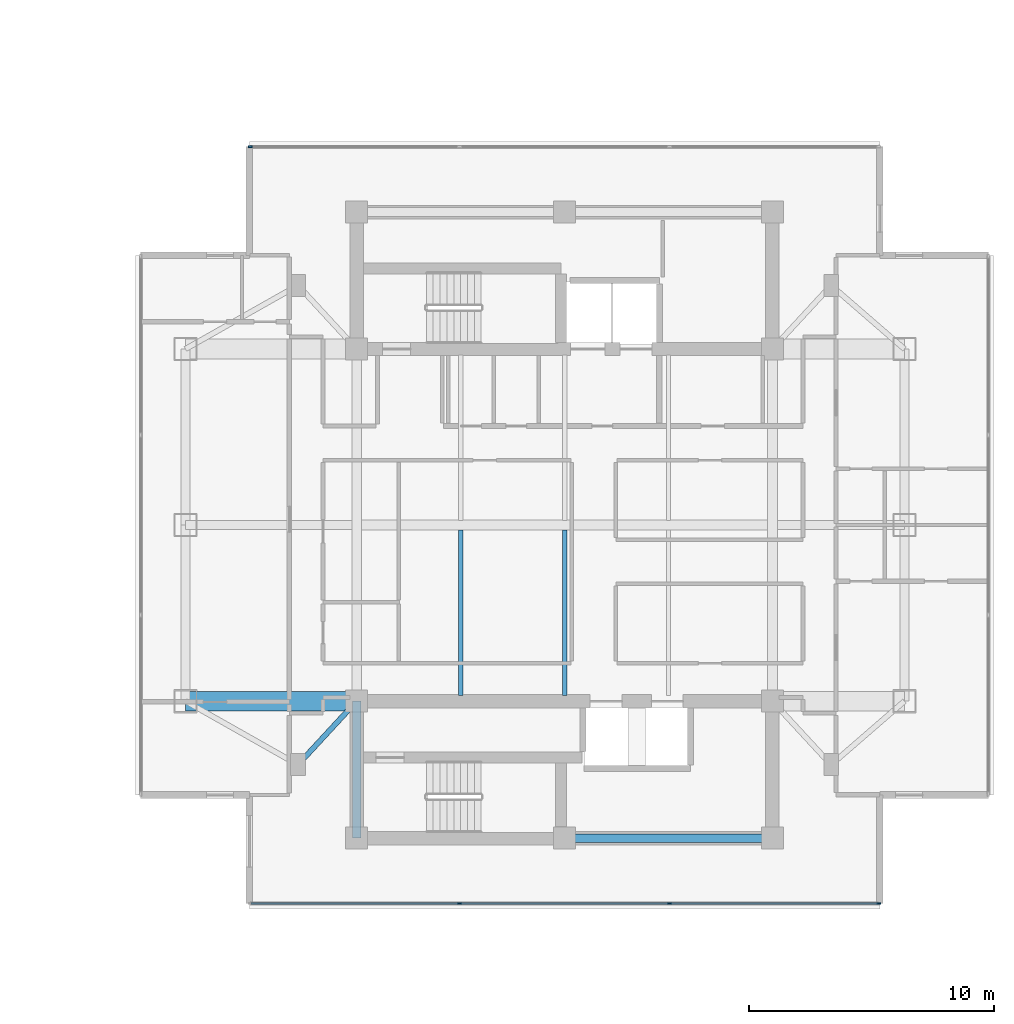
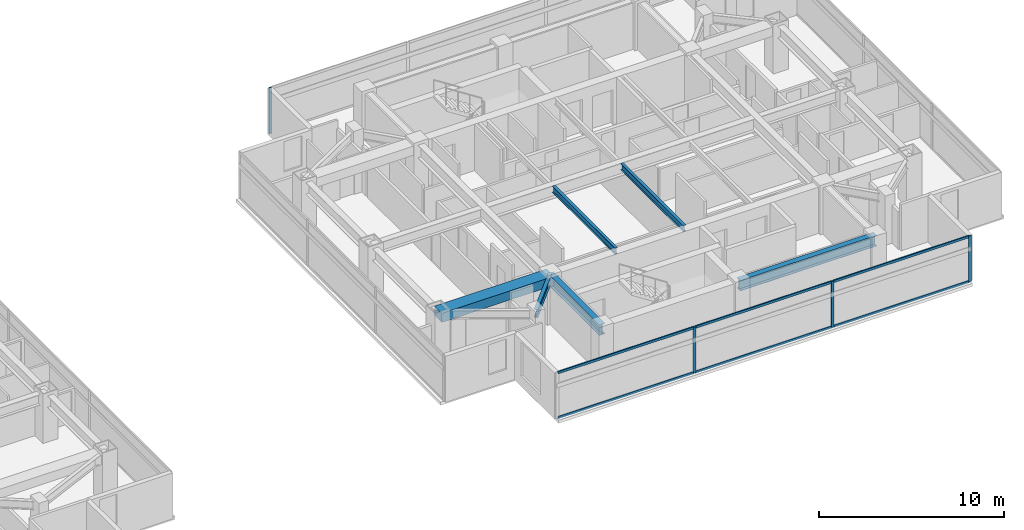
# One storey, part 8 of 24: 10 members, 6 beams, 2 elements without a shape of their own.
"""IFC4 building model written with IfcOpenShell, lengths in metres."""

from ifc_helpers import new_model, si_unit, direction, frame, origin, origin_2d, place, context, subcontext, project, spatial, rectangle, i_section, extrude, material, material_profile, profile_set, type_object, element, aggregate, save


model = new_model("IFC4")

# Units and contexts
model_context = context("Model", 3, precision=1e-05, world=origin(), true_north=direction((0.0, 1.0)))
body_context = subcontext(model_context, "Body", "Model", "MODEL_VIEW")
ifc_project = project(units=[si_unit("LENGTHUNIT", "METRE"), si_unit("AREAUNIT", "SQUARE_METRE"), si_unit("VOLUMEUNIT", "CUBIC_METRE"), si_unit("PLANEANGLEUNIT", "RADIAN"), si_unit("MASSUNIT", "GRAM", prefix="KILO")], contexts=[model_context])

# Site, building, storey
site_placement = place(None, origin())
site = spatial("IfcSite", under=ifc_project, at=site_placement, CompositionType="ELEMENT")
building_placement = place(site_placement, origin())
building = spatial("IfcBuilding", under=site, at=building_placement, Name="Mirazonda Arch Towers", CompositionType="ELEMENT")
storey_placement = place(building_placement, frame((0.0, 0.0, 196.64990234375)))
storey = spatial("IfcBuildingStorey", under=building, at=storey_placement, Name="L56", CompositionType="ELEMENT", Elevation=196.64990234375)

# Beams
ifc_material_1 = material(Name="Steel ASTM A992 Grade 50", Category="steel")
ifc_material_profile_1 = material_profile(ifc_material_1, i_section(OverallWidth=0.180908203125, OverallDepth=0.4169921875, WebThickness=0.010986328125, FlangeThickness=0.018310546875, at=origin_2d()), Name="W16X57")
ifc_profile_set_1 = profile_set([ifc_material_profile_1], Name="Steel ASTM A992 Grade 50")
beam_type_1 = type_object("IfcBeamType", Name="BM-INT-W16X57", PredefinedType="JOIST", material=ifc_profile_set_1)
for number, where, z_axis, x_axis, name in (
    (1, (72.25, 21.0400390625, 2.841552734375), (0.0, 1.0, 0.0), (-1.0, 0.0, 0.0), "L56 Floor Beam BM-T2-L56-J-722-20"),
    (2, (76.5, 21.0400390625, 2.841552734375), (0.0, 1.0, 0.0), (-1.0, 0.0, 0.0), "L56 Floor Beam BM-T2-L56-J-765-20"),
):
    element("IfcBeam", number, at=place(storey_placement, frame(where, z_axis=z_axis, x_axis=x_axis)), inside=storey, type_object=beam_type_1, Name=name, PredefinedType="JOIST", context=body_context, shape_type="SweptSolid", body=[
        extrude(i_section(OverallWidth=0.180908203125, OverallDepth=0.4169921875, WebThickness=0.010986328125, FlangeThickness=0.018310546875, at=origin_2d()), origin(), (0.0, 0.0, 1.0), 6.763916015625),
    ])
ifc_material_profile_2 = material_profile(ifc_material_1, i_section(OverallWidth=0.214111328125, OverallDepth=0.549072265625, WebThickness=0.0146484375, FlangeThickness=0.023681640625, at=origin_2d()), Name="W21X93")
ifc_profile_set_2 = profile_set([ifc_material_profile_2], Name="Steel ASTM A992 Grade 50")
beam_type_2 = type_object("IfcBeamType", Name="BM-INT-W21X93", PredefinedType="BEAM", material=ifc_profile_set_2)
beam_1_placement = place(storey_placement, frame((65.60009765625, 18.199951171875, 2.775634765625), z_axis=(0.678251444854, 0.734829897019, 0.0), x_axis=(-0.734829897019, 0.678251444854, 0.0)))
element("IfcBeam", 3, at=beam_1_placement, inside=storey, type_object=beam_type_2, Name="L56 Floor Beam BM-T2-L56-PL-SW1", PredefinedType="BEAM", context=body_context, shape_type="SweptSolid", body=[
    extrude(i_section(OverallWidth=0.214111328125, OverallDepth=0.549072265625, WebThickness=0.0146484375, FlangeThickness=0.023681640625, at=origin_2d()), origin(), (0.0, 0.0, 1.0), 3.538330078125),
])
ifc_material_profile_3 = material_profile(ifc_material_1, i_section(OverallWidth=0.35498046875, OverallDepth=0.696044921875, WebThickness=0.015380859375, FlangeThickness=0.02490234375, at=origin_2d()), Name="W27X146")
ifc_profile_set_3 = profile_set([ifc_material_profile_3], Name="Steel ASTM A992 Grade 50")
beam_type_3 = type_object("IfcBeamType", Name="BM-INT-W27X146", PredefinedType="BEAM", material=ifc_profile_set_3)
beam_2_placement = place(storey_placement, frame((76.5, 15.199951171875, 2.7021484375), z_axis=(1.0, 0.0, 0.0), x_axis=(0.0, 1.0, 0.0)))
element("IfcBeam", 4, at=beam_2_placement, inside=storey, type_object=beam_type_3, Name="L56 Floor Beam BM-T2-L56-CS2", PredefinedType="BEAM", context=body_context, shape_type="SweptSolid", body=[
    extrude(i_section(OverallWidth=0.35498046875, OverallDepth=0.696044921875, WebThickness=0.015380859375, FlangeThickness=0.02490234375, at=origin_2d()), origin(), (0.0, 0.0, 1.0), 8.5),
])
beam_3_placement = place(storey_placement, frame((68.0, 15.199951171875, 2.7021484375), z_axis=(0.0, 1.0, 0.0), x_axis=(-1.0, 0.0, 0.0)))
element("IfcBeam", 5, at=beam_3_placement, inside=storey, type_object=beam_type_3, Name="L56 Floor Beam BM-T2-L56-CSW", PredefinedType="BEAM", context=body_context, shape_type="SweptSolid", body=[
    extrude(i_section(OverallWidth=0.35498046875, OverallDepth=0.696044921875, WebThickness=0.015380859375, FlangeThickness=0.02490234375, at=origin_2d()), origin(), (0.0, 0.0, 1.0), 5.60009765625),
])
ifc_material_2 = material(Name="Concrete C60/75", Category="concrete")
ifc_material_profile_4 = material_profile(ifc_material_2, rectangle(XDim=0.800048828125, YDim=0.60009765625, at=origin_2d()), Name="RCCB800x600")
ifc_profile_set_4 = profile_set([ifc_material_profile_4], Name="Concrete C60/75")
beam_type_4 = type_object("IfcBeamType", Name="CB-INT-RCCB800x600", PredefinedType="SPANDREL", material=ifc_profile_set_4)
beam_4_placement = place(storey_placement, frame((61.0, 20.800048828125, 2.75), z_axis=(1.0, 0.0, 0.0), x_axis=(0.0, 1.0, 0.0)))
element("IfcBeam", 6, at=beam_4_placement, inside=storey, type_object=beam_type_4, Name="L56 Floor Beam CBC-T2-L56-SW", PredefinedType="SPANDREL", context=body_context, shape_type="SweptSolid", body=[
    extrude(rectangle(XDim=0.800048828125, YDim=0.60009765625, at=origin_2d()), origin(), (0.0, 0.0, 1.0), 7.0),
])

# Curtain wall, members
ifc_material_3 = material(Name="Anodised Aluminium and Low-E Glass", Category="aluminium")
curtain_wall_type = type_object("IfcCurtainWallType", Name="CW-RES-UNIT", PredefinedType="NOTDEFINED", material=ifc_material_3)
curtain_wall_1_placement = place(storey_placement, origin())
curtain_wall_1 = element("IfcCurtainWall", 7, at=curtain_wall_1_placement, inside=storey, type_object=curtain_wall_type, Name="L56 T2 S Facade CW-L56-T2-S", PredefinedType="NOTDEFINED")
ifc_material_4 = material(Name="Anodised Aluminium Alloy", Category="aluminium")
ifc_material_profile_5 = material_profile(ifc_material_4, rectangle(XDim=0.074951171875, YDim=0.175048828125, at=origin_2d()), Name="ALU-MULL-75x175")
ifc_profile_set_5 = profile_set([ifc_material_profile_5], Name="Anodised Aluminium Alloy")
member_type_1 = type_object("IfcMemberType", Name="MULL-CW-RES-UNIT", PredefinedType="MULLION", material=ifc_profile_set_5)
member_1_placement = place(storey_placement, frame((89.352294921875, 12.5283203125, 0.0), z_axis=(0.0, 0.0, 1.0), x_axis=(0.0, -1.0, 0.0)))
member_1 = element("IfcMember", 8, at=member_1_placement, type_object=member_type_1, Name="CW-104 mullion 1", PredefinedType="MULLION", context=body_context, shape_type="SweptSolid", body=[
    extrude(rectangle(XDim=0.074951171875, YDim=0.175048828125, at=origin_2d()), origin(), (0.0, 0.0, 1.0), 3.030029296875),
])
member_2_placement = place(storey_placement, frame((80.796630859375, 12.5283203125, 0.0), z_axis=(0.0, 0.0, 1.0), x_axis=(0.0, -1.0, 0.0)))
member_2 = element("IfcMember", 9, at=member_2_placement, type_object=member_type_1, Name="CW-104 mullion 2", PredefinedType="MULLION", context=body_context, shape_type="SweptSolid", body=[
    extrude(rectangle(XDim=0.074951171875, YDim=0.175048828125, at=origin_2d()), origin(), (0.0, 0.0, 1.0), 3.030029296875),
])
member_3_placement = place(storey_placement, frame((72.203369140625, 12.5283203125, 0.0), z_axis=(0.0, 0.0, 1.0), x_axis=(0.0, -1.0, 0.0)))
member_3 = element("IfcMember", 10, at=member_3_placement, type_object=member_type_1, Name="CW-104 mullion 3", PredefinedType="MULLION", context=body_context, shape_type="SweptSolid", body=[
    extrude(rectangle(XDim=0.074951171875, YDim=0.175048828125, at=origin_2d()), origin(), (0.0, 0.0, 1.0), 3.030029296875),
])

# Curtain wall, member
curtain_wall_2_placement = place(storey_placement, origin())
curtain_wall_2 = element("IfcCurtainWall", 11, at=curtain_wall_2_placement, inside=storey, type_object=curtain_wall_type, Name="L56 T2 N Facade CW-L56-T2-N", PredefinedType="NOTDEFINED")
member_4_placement = place(storey_placement, frame((63.647705078125, 43.4716796875, 0.0), z_axis=(0.0, 0.0, 1.0), x_axis=(0.0, 1.0, 0.0)))
member_4 = element("IfcMember", 12, at=member_4_placement, type_object=member_type_1, Name="CW-104 mullion 1", PredefinedType="MULLION", context=body_context, shape_type="SweptSolid", body=[
    extrude(rectangle(XDim=0.074951171875, YDim=0.175048828125, at=origin_2d()), origin(), (0.0, 0.0, 1.0), 3.030029296875),
])
aggregate(curtain_wall_2, [member_4])

# Member
ifc_material_profile_6 = material_profile(ifc_material_4, rectangle(XDim=0.074951171875, YDim=0.155029296875, at=origin_2d()), Name="ALU-TRAN-75x155")
ifc_profile_set_6 = profile_set([ifc_material_profile_6], Name="Anodised Aluminium Alloy")
member_type_2 = type_object("IfcMemberType", Name="TRAN-CW-RES-UNIT", PredefinedType="USERDEFINED", material=ifc_profile_set_6)
member_5_placement = place(storey_placement, frame((89.314697265625, 12.5283203125, 0.03759765625), z_axis=(-1.0, 0.0, 0.0), x_axis=(0.0, -1.0, 0.0)))
member_5 = element("IfcMember", 13, at=member_5_placement, type_object=member_type_2, Name="CW-104 transom 1.1", ObjectType="TRANSOM", PredefinedType="USERDEFINED", context=body_context, shape_type="SweptSolid", body=[
    extrude(rectangle(XDim=0.074951171875, YDim=0.155029296875, at=origin_2d()), origin(), (0.0, 0.0, 1.0), 8.480712890625),
])

member_6_placement = place(storey_placement, frame((89.314697265625, 12.5283203125, 2.99267578125), z_axis=(-1.0, 0.0, 0.0), x_axis=(0.0, -1.0, 0.0)))
member_6 = element("IfcMember", 14, at=member_6_placement, type_object=member_type_2, Name="CW-104 transom 1.2", ObjectType="TRANSOM", PredefinedType="USERDEFINED", context=body_context, shape_type="SweptSolid", body=[
    extrude(rectangle(XDim=0.074951171875, YDim=0.155029296875, at=origin_2d()), origin(), (0.0, 0.0, 1.0), 8.480712890625),
])

member_7_placement = place(storey_placement, frame((80.759033203125, 12.5283203125, 0.03759765625), z_axis=(-1.0, 0.0, 0.0), x_axis=(0.0, -1.0, 0.0)))
member_7 = element("IfcMember", 15, at=member_7_placement, type_object=member_type_2, Name="CW-104 transom 2.1", ObjectType="TRANSOM", PredefinedType="USERDEFINED", context=body_context, shape_type="SweptSolid", body=[
    extrude(rectangle(XDim=0.074951171875, YDim=0.155029296875, at=origin_2d()), origin(), (0.0, 0.0, 1.0), 8.51806640625),
])

member_8_placement = place(storey_placement, frame((80.759033203125, 12.5283203125, 2.99267578125), z_axis=(-1.0, 0.0, 0.0), x_axis=(0.0, -1.0, 0.0)))
member_8 = element("IfcMember", 16, at=member_8_placement, type_object=member_type_2, Name="CW-104 transom 2.2", ObjectType="TRANSOM", PredefinedType="USERDEFINED", context=body_context, shape_type="SweptSolid", body=[
    extrude(rectangle(XDim=0.074951171875, YDim=0.155029296875, at=origin_2d()), origin(), (0.0, 0.0, 1.0), 8.51806640625),
])

member_9_placement = place(storey_placement, frame((72.166015625, 12.5283203125, 0.03759765625), z_axis=(-1.0, 0.0, 0.0), x_axis=(0.0, -1.0, 0.0)))
member_9 = element("IfcMember", 17, at=member_9_placement, type_object=member_type_2, Name="CW-104 transom 3.1", ObjectType="TRANSOM", PredefinedType="USERDEFINED", context=body_context, shape_type="SweptSolid", body=[
    extrude(rectangle(XDim=0.074951171875, YDim=0.155029296875, at=origin_2d()), origin(), (0.0, 0.0, 1.0), 8.480712890625),
])

member_10_placement = place(storey_placement, frame((72.166015625, 12.5283203125, 2.99267578125), z_axis=(-1.0, 0.0, 0.0), x_axis=(0.0, -1.0, 0.0)))
member_10 = element("IfcMember", 18, at=member_10_placement, type_object=member_type_2, Name="CW-104 transom 3.2", ObjectType="TRANSOM", PredefinedType="USERDEFINED", context=body_context, shape_type="SweptSolid", body=[
    extrude(rectangle(XDim=0.074951171875, YDim=0.155029296875, at=origin_2d()), origin(), (0.0, 0.0, 1.0), 8.480712890625),
])

aggregate(curtain_wall_1, [member_1, member_2, member_3, member_5, member_6, member_7, member_8, member_9, member_10])

save(model, "model.ifc")
